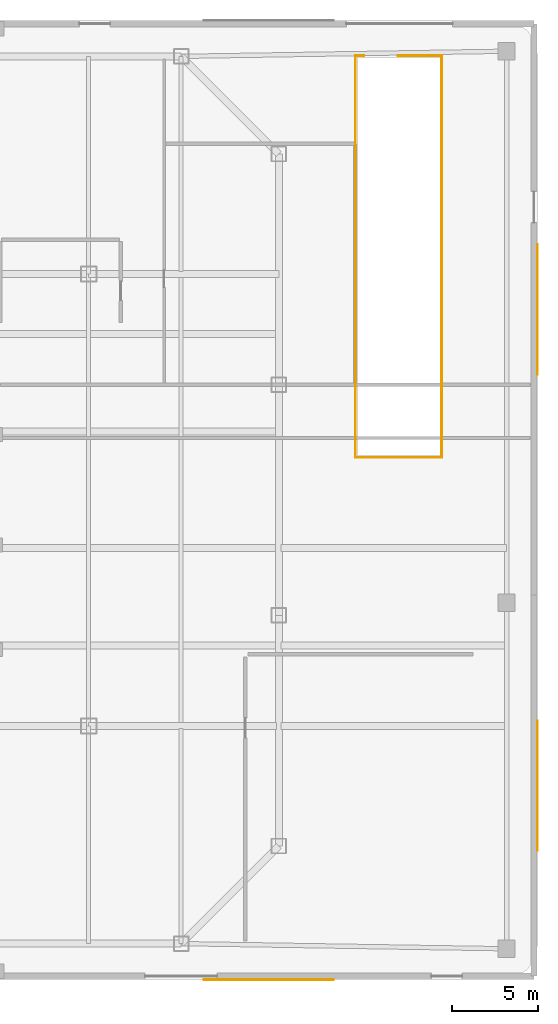
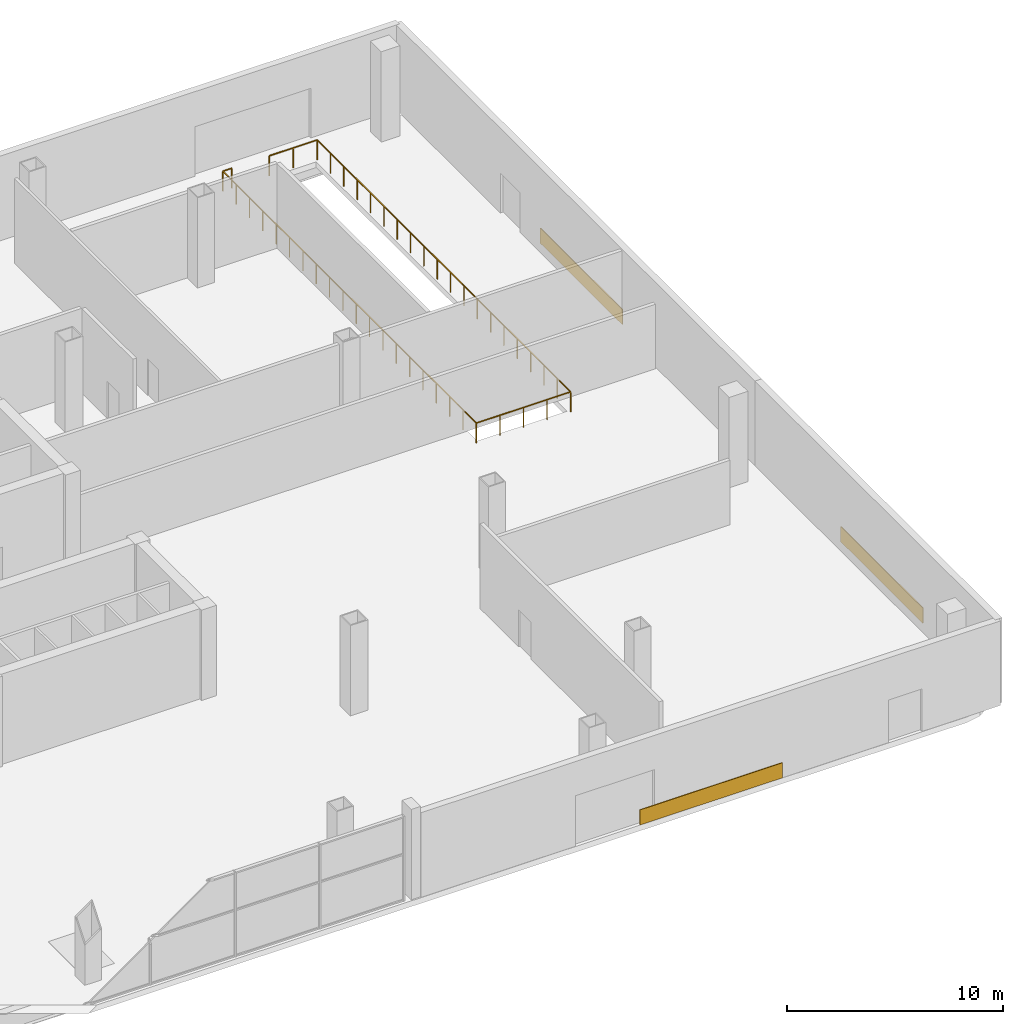
# One storey, part 19 of 21: 5 railings, 3 coverings.
"""IFC4 building model written with IfcOpenShell, lengths in metres."""

from ifc_helpers import new_model, si_unit, direction, frame, origin, origin_2d, place, context, subcontext, project, spatial, rectangle, extrude, material, layer, layer_set, type_object, element, save


model = new_model("IFC4")

# Units and contexts
model_context = context("Model", 3, precision=1e-05, world=origin(), true_north=direction((0.0, 1.0)))
body_context = subcontext(model_context, "Body", "Model", "MODEL_VIEW")
ifc_project = project(units=[si_unit("LENGTHUNIT", "METRE"), si_unit("AREAUNIT", "SQUARE_METRE"), si_unit("VOLUMEUNIT", "CUBIC_METRE"), si_unit("PLANEANGLEUNIT", "RADIAN"), si_unit("MASSUNIT", "GRAM", prefix="KILO")], contexts=[model_context])

# Site, building, storey
site_placement = place(None, origin())
site = spatial("IfcSite", under=ifc_project, at=site_placement, CompositionType="ELEMENT")
building_placement = place(site_placement, origin())
building = spatial("IfcBuilding", under=site, at=building_placement, Name="Qhalaya Broadcast Tower", CompositionType="ELEMENT")
storey_placement = place(building_placement, origin())
storey = spatial("IfcBuildingStorey", under=building, at=storey_placement, Name="L00", CompositionType="ELEMENT", Elevation=0.0)

# Coverings
ifc_material_1 = material(Name="Fired Architectural Terracotta", Category="masonry")
ifc_layer = layer(ifc_material_1, 0.044921875, Name="Fired Architectural Terracotta")
ifc_layer_set = layer_set([ifc_layer], Name="Fired Architectural Terracotta")
covering_type = type_object("IfcCoveringType", Name="Polychrome Terracotta Rainscreen Cladding CLD-01", PredefinedType="CLADDING", material=ifc_layer_set)
for number, where, z_axis, x_axis, name in (
    (1, (25.320068359375, -28.0, 0.02490234375), (0.0, 0.0, 1.0), (-1.0, 0.0, 0.0), "L00 Terracotta Spandrel Cladding EW-SE"),
    (2, (41.0, -16.675048828125, 0.02490234375), (0.0, 0.0, 1.0), (0.0, -1.0, 0.0), "L00 Terracotta Spandrel Cladding EW-ES"),
    (3, (41.0, 11.125, 0.02490234375), (0.0, 0.0, 1.0), (0.0, -1.0, 0.0), "L00 Terracotta Spandrel Cladding EW-EN"),
):
    element("IfcCovering", number, at=place(storey_placement, frame(where, z_axis=z_axis, x_axis=x_axis)), inside=storey, type_object=covering_type, Name=name, PredefinedType="CLADDING", context=body_context, shape_type="SweptSolid", body=[
        extrude(rectangle(XDim=7.60009765625, YDim=0.044921875, at=origin_2d()), origin(), (0.0, 0.0, 1.0), 0.85009765625),
    ])

# Railings
ifc_material_2 = material(Name="Powder-Coated Galvanised Steel", Category="steel")
railing_type = type_object("IfcRailingType", Name="Stair Well & Landing Guardrail 1100", PredefinedType="GUARDRAIL", material=ifc_material_2)
railing_1_placement = place(storey_placement, frame((30.860107421875, 25.93994140625, 0.0)))
element("IfcRailing", 4, at=railing_1_placement, inside=storey, type_object=railing_type, Name="L00 Vehicle Ramp Well Safety Guard W1", PredefinedType="GUARDRAIL", context=body_context, shape_type="SweptSolid", body=[
    extrude(rectangle(XDim=0.048095703125, YDim=0.048095703125, at=origin_2d()), frame((0.0, 0.0, 1.1259765625), z_axis=(-1.0, 0.0, 0.0), x_axis=(0.0, -1.0, 0.0)), (0.0, 0.0, 1.0), 0.480224609375),
    extrude(rectangle(XDim=0.0419921875, YDim=0.0419921875, at=origin_2d()), origin(), (0.0, 0.0, 1.0), 1.099853515625),
    extrude(rectangle(XDim=0.0419921875, YDim=0.0419921875, at=origin_2d()), frame((-0.480224609375, 0.0, 0.0)), (0.0, 0.0, 1.0), 1.099853515625),
])
railing_2_placement = place(storey_placement, frame((30.3798828125, 25.93994140625, 0.0)))
element("IfcRailing", 5, at=railing_2_placement, inside=storey, type_object=railing_type, Name="L00 Vehicle Ramp Well Safety Guard W2", PredefinedType="GUARDRAIL", context=body_context, shape_type="SweptSolid", body=[
    extrude(rectangle(XDim=0.048095703125, YDim=0.048095703125, at=origin_2d()), frame((0.0, 0.0, 1.1259765625), z_axis=(0.0, -1.0, 0.0), x_axis=(1.0, 0.0, 0.0)), (0.0, 0.0, 1.0), 23.4599609375),
    extrude(rectangle(XDim=0.0419921875, YDim=0.0419921875, at=origin_2d()), origin(), (0.0, 0.0, 1.0), 1.099853515625),
    extrude(rectangle(XDim=0.0419921875, YDim=0.0419921875, at=origin_2d()), frame((0.0, -1.234619140625, 0.0)), (0.0, 0.0, 1.0), 1.099853515625),
    extrude(rectangle(XDim=0.0419921875, YDim=0.0419921875, at=origin_2d()), frame((0.0, -2.469482421875, 0.0)), (0.0, 0.0, 1.0), 1.099853515625),
    extrude(rectangle(XDim=0.0419921875, YDim=0.0419921875, at=origin_2d()), frame((0.0, -3.7041015625, 0.0)), (0.0, 0.0, 1.0), 1.099853515625),
    extrude(rectangle(XDim=0.0419921875, YDim=0.0419921875, at=origin_2d()), frame((0.0, -4.93896484375, 0.0)), (0.0, 0.0, 1.0), 1.099853515625),
    extrude(rectangle(XDim=0.0419921875, YDim=0.0419921875, at=origin_2d()), frame((0.0, -6.173583984375, 0.0)), (0.0, 0.0, 1.0), 1.099853515625),
    extrude(rectangle(XDim=0.0419921875, YDim=0.0419921875, at=origin_2d()), frame((0.0, -7.408447265625, 0.0)), (0.0, 0.0, 1.0), 1.099853515625),
    extrude(rectangle(XDim=0.0419921875, YDim=0.0419921875, at=origin_2d()), frame((0.0, -8.64306640625, 0.0)), (0.0, 0.0, 1.0), 1.099853515625),
    extrude(rectangle(XDim=0.0419921875, YDim=0.0419921875, at=origin_2d()), frame((0.0, -9.8779296875, 0.0)), (0.0, 0.0, 1.0), 1.099853515625),
    extrude(rectangle(XDim=0.0419921875, YDim=0.0419921875, at=origin_2d()), frame((0.0, -11.112548828125, 0.0)), (0.0, 0.0, 1.0), 1.099853515625),
    extrude(rectangle(XDim=0.0419921875, YDim=0.0419921875, at=origin_2d()), frame((0.0, -12.347412109375, 0.0)), (0.0, 0.0, 1.0), 1.099853515625),
    extrude(rectangle(XDim=0.0419921875, YDim=0.0419921875, at=origin_2d()), frame((0.0, -13.58203125, 0.0)), (0.0, 0.0, 1.0), 1.099853515625),
    extrude(rectangle(XDim=0.0419921875, YDim=0.0419921875, at=origin_2d()), frame((0.0, -14.81689453125, 0.0)), (0.0, 0.0, 1.0), 1.099853515625),
    extrude(rectangle(XDim=0.0419921875, YDim=0.0419921875, at=origin_2d()), frame((0.0, -16.051513671875, 0.0)), (0.0, 0.0, 1.0), 1.099853515625),
    extrude(rectangle(XDim=0.0419921875, YDim=0.0419921875, at=origin_2d()), frame((0.0, -17.286376953125, 0.0)), (0.0, 0.0, 1.0), 1.099853515625),
    extrude(rectangle(XDim=0.0419921875, YDim=0.0419921875, at=origin_2d()), frame((0.0, -18.52099609375, 0.0)), (0.0, 0.0, 1.0), 1.099853515625),
    extrude(rectangle(XDim=0.0419921875, YDim=0.0419921875, at=origin_2d()), frame((0.0, -19.755859375, 0.0)), (0.0, 0.0, 1.0), 1.099853515625),
    extrude(rectangle(XDim=0.0419921875, YDim=0.0419921875, at=origin_2d()), frame((0.0, -20.990478515625, 0.0)), (0.0, 0.0, 1.0), 1.099853515625),
    extrude(rectangle(XDim=0.0419921875, YDim=0.0419921875, at=origin_2d()), frame((0.0, -22.225341796875, 0.0)), (0.0, 0.0, 1.0), 1.099853515625),
    extrude(rectangle(XDim=0.0419921875, YDim=0.0419921875, at=origin_2d()), frame((0.0, -23.4599609375, 0.0)), (0.0, 0.0, 1.0), 1.099853515625),
])
railing_3_placement = place(storey_placement, frame((30.3798828125, 2.47998046875, 0.0)))
element("IfcRailing", 6, at=railing_3_placement, inside=storey, type_object=railing_type, Name="L00 Vehicle Ramp Well Safety Guard S1", PredefinedType="GUARDRAIL", context=body_context, shape_type="SweptSolid", body=[
    extrude(rectangle(XDim=0.048095703125, YDim=0.048095703125, at=origin_2d()), frame((0.0, 0.0, 1.1259765625), z_axis=(1.0, 0.0, 0.0), x_axis=(0.0, 1.0, 0.0)), (0.0, 0.0, 1.0), 5.0400390625),
    extrude(rectangle(XDim=0.0419921875, YDim=0.0419921875, at=origin_2d()), origin(), (0.0, 0.0, 1.0), 1.099853515625),
    extrude(rectangle(XDim=0.0419921875, YDim=0.0419921875, at=origin_2d()), frame((1.260009765625, 0.0, 0.0)), (0.0, 0.0, 1.0), 1.099853515625),
    extrude(rectangle(XDim=0.0419921875, YDim=0.0419921875, at=origin_2d()), frame((2.52001953125, 0.0, 0.0)), (0.0, 0.0, 1.0), 1.099853515625),
    extrude(rectangle(XDim=0.0419921875, YDim=0.0419921875, at=origin_2d()), frame((3.780029296875, 0.0, 0.0)), (0.0, 0.0, 1.0), 1.099853515625),
    extrude(rectangle(XDim=0.0419921875, YDim=0.0419921875, at=origin_2d()), frame((5.0400390625, 0.0, 0.0)), (0.0, 0.0, 1.0), 1.099853515625),
])
railing_4_placement = place(storey_placement, frame((35.419921875, 2.47998046875, 0.0)))
element("IfcRailing", 7, at=railing_4_placement, inside=storey, type_object=railing_type, Name="L00 Vehicle Ramp Well Safety Guard E1", PredefinedType="GUARDRAIL", context=body_context, shape_type="SweptSolid", body=[
    extrude(rectangle(XDim=0.048095703125, YDim=0.048095703125, at=origin_2d()), frame((0.0, 0.0, 1.1259765625), z_axis=(0.0, 1.0, 0.0), x_axis=(-1.0, 0.0, 0.0)), (0.0, 0.0, 1.0), 23.4599609375),
    extrude(rectangle(XDim=0.0419921875, YDim=0.0419921875, at=origin_2d()), origin(), (0.0, 0.0, 1.0), 1.099853515625),
    extrude(rectangle(XDim=0.0419921875, YDim=0.0419921875, at=origin_2d()), frame((0.0, 1.234619140625, 0.0)), (0.0, 0.0, 1.0), 1.099853515625),
    extrude(rectangle(XDim=0.0419921875, YDim=0.0419921875, at=origin_2d()), frame((0.0, 2.469482421875, 0.0)), (0.0, 0.0, 1.0), 1.099853515625),
    extrude(rectangle(XDim=0.0419921875, YDim=0.0419921875, at=origin_2d()), frame((0.0, 3.7041015625, 0.0)), (0.0, 0.0, 1.0), 1.099853515625),
    extrude(rectangle(XDim=0.0419921875, YDim=0.0419921875, at=origin_2d()), frame((0.0, 4.93896484375, 0.0)), (0.0, 0.0, 1.0), 1.099853515625),
    extrude(rectangle(XDim=0.0419921875, YDim=0.0419921875, at=origin_2d()), frame((0.0, 6.173583984375, 0.0)), (0.0, 0.0, 1.0), 1.099853515625),
    extrude(rectangle(XDim=0.0419921875, YDim=0.0419921875, at=origin_2d()), frame((0.0, 7.408447265625, 0.0)), (0.0, 0.0, 1.0), 1.099853515625),
    extrude(rectangle(XDim=0.0419921875, YDim=0.0419921875, at=origin_2d()), frame((0.0, 8.64306640625, 0.0)), (0.0, 0.0, 1.0), 1.099853515625),
    extrude(rectangle(XDim=0.0419921875, YDim=0.0419921875, at=origin_2d()), frame((0.0, 9.8779296875, 0.0)), (0.0, 0.0, 1.0), 1.099853515625),
    extrude(rectangle(XDim=0.0419921875, YDim=0.0419921875, at=origin_2d()), frame((0.0, 11.112548828125, 0.0)), (0.0, 0.0, 1.0), 1.099853515625),
    extrude(rectangle(XDim=0.0419921875, YDim=0.0419921875, at=origin_2d()), frame((0.0, 12.347412109375, 0.0)), (0.0, 0.0, 1.0), 1.099853515625),
    extrude(rectangle(XDim=0.0419921875, YDim=0.0419921875, at=origin_2d()), frame((0.0, 13.58203125, 0.0)), (0.0, 0.0, 1.0), 1.099853515625),
    extrude(rectangle(XDim=0.0419921875, YDim=0.0419921875, at=origin_2d()), frame((0.0, 14.81689453125, 0.0)), (0.0, 0.0, 1.0), 1.099853515625),
    extrude(rectangle(XDim=0.0419921875, YDim=0.0419921875, at=origin_2d()), frame((0.0, 16.051513671875, 0.0)), (0.0, 0.0, 1.0), 1.099853515625),
    extrude(rectangle(XDim=0.0419921875, YDim=0.0419921875, at=origin_2d()), frame((0.0, 17.286376953125, 0.0)), (0.0, 0.0, 1.0), 1.099853515625),
    extrude(rectangle(XDim=0.0419921875, YDim=0.0419921875, at=origin_2d()), frame((0.0, 18.52099609375, 0.0)), (0.0, 0.0, 1.0), 1.099853515625),
    extrude(rectangle(XDim=0.0419921875, YDim=0.0419921875, at=origin_2d()), frame((0.0, 19.755859375, 0.0)), (0.0, 0.0, 1.0), 1.099853515625),
    extrude(rectangle(XDim=0.0419921875, YDim=0.0419921875, at=origin_2d()), frame((0.0, 20.990478515625, 0.0)), (0.0, 0.0, 1.0), 1.099853515625),
    extrude(rectangle(XDim=0.0419921875, YDim=0.0419921875, at=origin_2d()), frame((0.0, 22.225341796875, 0.0)), (0.0, 0.0, 1.0), 1.099853515625),
    extrude(rectangle(XDim=0.0419921875, YDim=0.0419921875, at=origin_2d()), frame((0.0, 23.4599609375, 0.0)), (0.0, 0.0, 1.0), 1.099853515625),
])
railing_5_placement = place(storey_placement, frame((35.419921875, 25.93994140625, 0.0)))
element("IfcRailing", 8, at=railing_5_placement, inside=storey, type_object=railing_type, Name="L00 Vehicle Ramp Well Safety Guard N1", PredefinedType="GUARDRAIL", context=body_context, shape_type="SweptSolid", body=[
    extrude(rectangle(XDim=0.048095703125, YDim=0.048095703125, at=origin_2d()), frame((0.0, 0.0, 1.1259765625), z_axis=(-1.0, 0.0, 0.0), x_axis=(0.0, -1.0, 0.0)), (0.0, 0.0, 1.0), 2.559814453125),
    extrude(rectangle(XDim=0.0419921875, YDim=0.0419921875, at=origin_2d()), origin(), (0.0, 0.0, 1.0), 1.099853515625),
    extrude(rectangle(XDim=0.0419921875, YDim=0.0419921875, at=origin_2d()), frame((-1.27978515625, 0.0, 0.0)), (0.0, 0.0, 1.0), 1.099853515625),
    extrude(rectangle(XDim=0.0419921875, YDim=0.0419921875, at=origin_2d()), frame((-2.559814453125, 0.0, 0.0)), (0.0, 0.0, 1.0), 1.099853515625),
])

save(model, "model.ifc")
